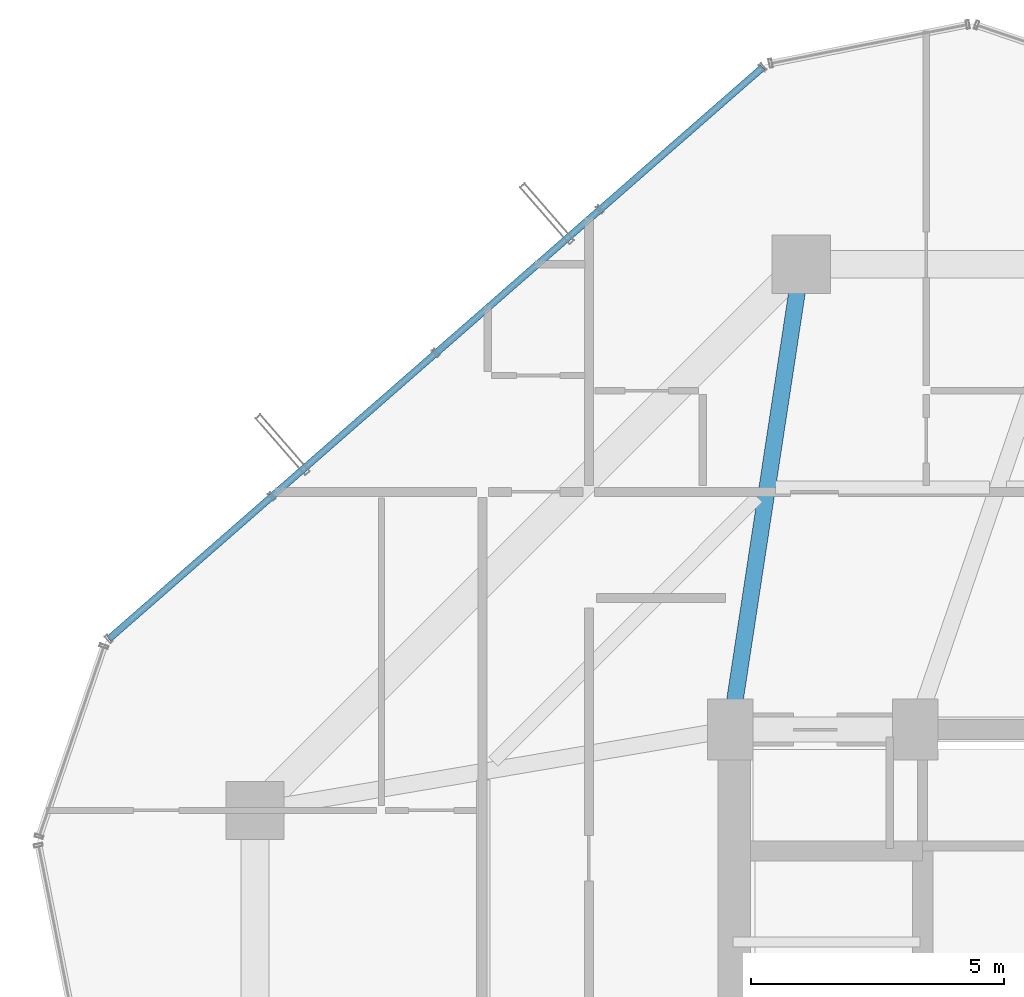
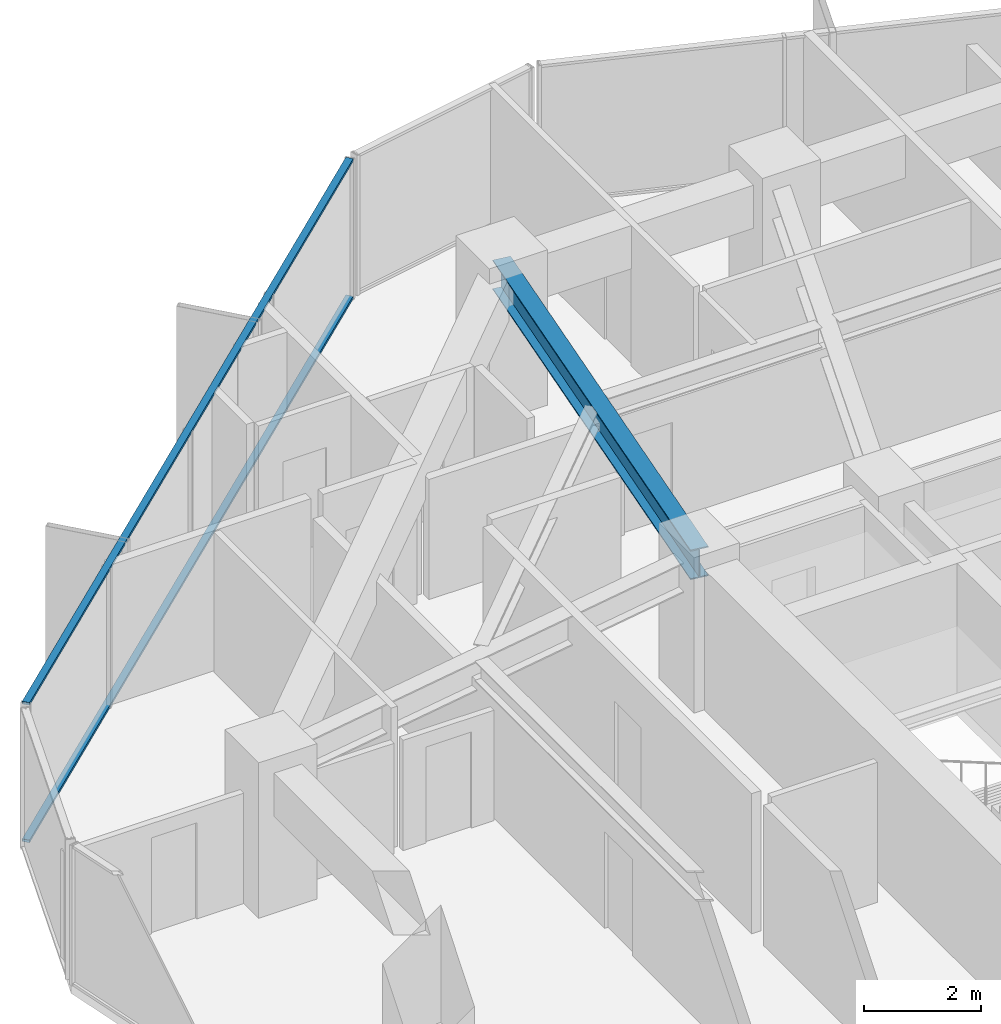
# One storey, part 22 of 36: 2 members, 1 beam, 1 element without a shape of its own.
"""IFC4 building model written with IfcOpenShell, lengths in metres."""

from ifc_helpers import new_model, si_unit, direction, frame, origin, origin_2d, place, context, subcontext, project, spatial, hollow_rectangle, i_section, extrude, source, transform, mapped, material, layer, layer_set, material_profile, profile_set, type_object, element, aggregate, save


model = new_model("IFC4")

# Units and contexts
model_context = context("Model", 3, precision=1e-05, world=origin(), true_north=direction((0.0, 1.0)))
body_context = subcontext(model_context, "Body", "Model", "MODEL_VIEW")
ifc_project = project(units=[si_unit("LENGTHUNIT", "METRE"), si_unit("AREAUNIT", "SQUARE_METRE"), si_unit("VOLUMEUNIT", "CUBIC_METRE"), si_unit("PLANEANGLEUNIT", "RADIAN"), si_unit("MASSUNIT", "GRAM", prefix="KILO")], contexts=[model_context])

# Site, building, storey
site_placement = place(None, origin())
site = spatial("IfcSite", under=ifc_project, at=site_placement, CompositionType="ELEMENT")
building_placement = place(site_placement, origin())
building = spatial("IfcBuilding", under=site, at=building_placement, Name="Veraguas Prism Commons", CompositionType="ELEMENT")
storey_placement = place(building_placement, frame((0.0, 0.0, 166.300048828125)))
storey = spatial("IfcBuildingStorey", under=building, at=storey_placement, Name="L47", CompositionType="ELEMENT", Elevation=166.300048828125)

# Beam
ifc_material_1 = material(Name="Steel ASTM A992 Grade 50", Category="steel")
ifc_material_profile_1 = material_profile(ifc_material_1, i_section(OverallWidth=0.327880859375, OverallDepth=0.6220703125, WebThickness=0.015380859375, FlangeThickness=0.0244140625, at=origin_2d()), Name="W610X195")
ifc_profile_set_1 = profile_set([ifc_material_profile_1], Name="Steel ASTM A992 Grade 50")
beam_type = type_object("IfcBeamType", Name="Zone 2 Radial Girder W610x195", PredefinedType="BEAM", material=ifc_profile_set_1)
beam_placement = place(storey_placement, frame((18.60009765625, 40.199951171875, 2.618896484375), z_axis=(-0.150458162136, -0.98861637729, 0.0), x_axis=(0.98861637729, -0.150458162136, 0.0)))
element("IfcBeam", 1, at=beam_placement, inside=storey, type_object=beam_type, Name="Radial Floor Girder L47-RD06", PredefinedType="BEAM", context=body_context, shape_type="SweptSolid", body=[
    extrude(i_section(OverallWidth=0.327880859375, OverallDepth=0.6220703125, WebThickness=0.015380859375, FlangeThickness=0.0244140625, at=origin_2d()), origin(), (0.0, 0.0, 1.0), 9.305908203125),
])

# Curtain wall, members
ifc_material_2 = material(Name="Anodised aluminium EN AW-6063 T6", Category="aluminium")
ifc_layer = layer(ifc_material_2, 0.169921875, Name="Unitised Flush Curtain Wall Zone 2", Category="aluminium")
ifc_layer_set = layer_set([ifc_layer], Name="Anodised aluminium EN AW-6063 T6")
curtain_wall_type = type_object("IfcCurtainWallType", Name="Unitised Flush Curtain Wall Zone 2", PredefinedType="NOTDEFINED", material=ifc_layer_set)
curtain_wall_placement = place(storey_placement, origin())
curtain_wall = element("IfcCurtainWall", 2, at=curtain_wall_placement, inside=storey, type_object=curtain_wall_type, Name="Tower Facade Curtain Wall L47-F2", PredefinedType="NOTDEFINED")
ifc_material_profile_2 = material_profile(ifc_material_2, hollow_rectangle(XDim=0.054931640625, YDim=0.135009765625, WallThickness=0.0029296875, at=origin_2d()), Name="AL55X135X3")
ifc_profile_set_2 = profile_set([ifc_material_profile_2], Name="Anodised aluminium EN AW-6063 T6")
member_type = type_object("IfcMemberType", Name="Curtain Wall Transom Standard AL 55x135x3", PredefinedType="USERDEFINED", material=ifc_profile_set_2)
shared_shape = source(origin(), body_context, "Body", "SweptSolid", [
    extrude(hollow_rectangle(XDim=0.054931640625, YDim=0.135009765625, WallThickness=0.0029296875, at=origin_2d()), origin(), (0.0, 0.0, 1.0), 17.17431640625),
])
member_1_placement = place(storey_placement, frame((17.83984375, 44.09375, 0.02734375), z_axis=(-0.752877781906, -0.658160349392, 0.0), x_axis=(0.0, 0.0, 1.0)))
member_1 = element("IfcMember", 3, at=member_1_placement, type_object=member_type, Name="CW-Z2 Transom 1", ObjectType="TRANSOM", PredefinedType="USERDEFINED", context=body_context, shape_type="MappedRepresentation", body=[
    mapped(shared_shape, transform((0.0, 0.0, 0.0), scale=1.0)),
])
member_2_placement = place(storey_placement, frame((17.83984375, 44.09375, 2.90234375), z_axis=(-0.752877781906, -0.658160349392, 0.0), x_axis=(0.0, 0.0, 1.0)))
member_2 = element("IfcMember", 4, at=member_2_placement, type_object=member_type, Name="CW-Z2 Transom 2", ObjectType="TRANSOM", PredefinedType="USERDEFINED", context=body_context, shape_type="MappedRepresentation", body=[
    mapped(shared_shape, transform((0.0, 0.0, 0.0), scale=1.0)),
])
aggregate(curtain_wall, [member_1, member_2])

save(model, "model.ifc")
